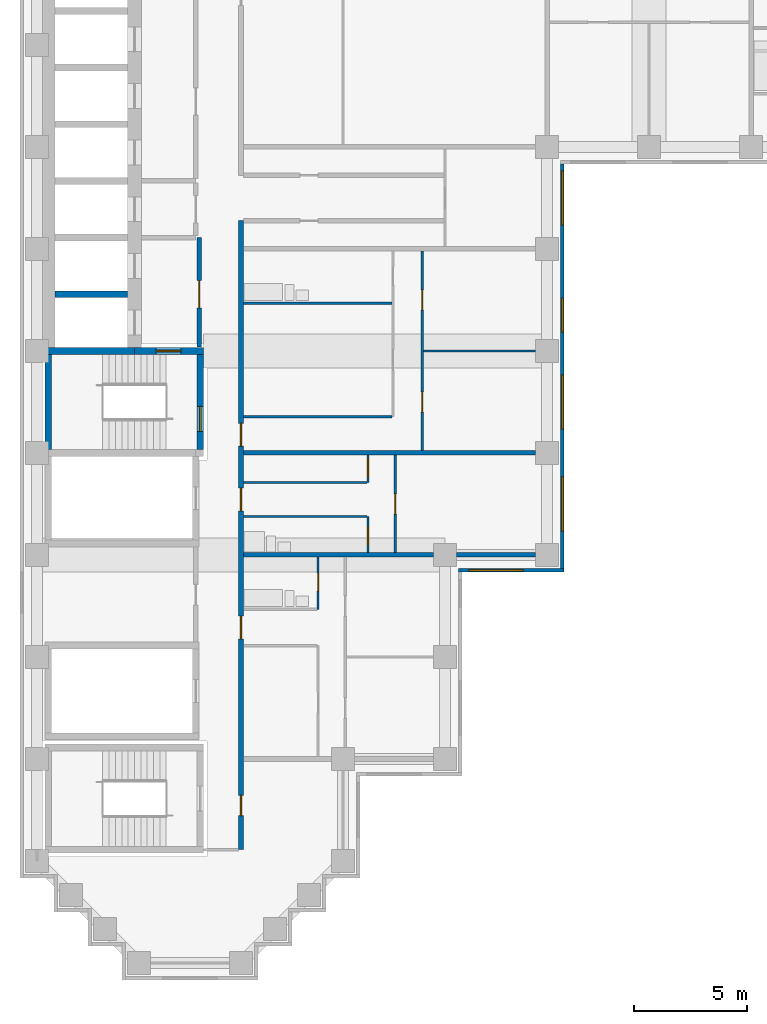
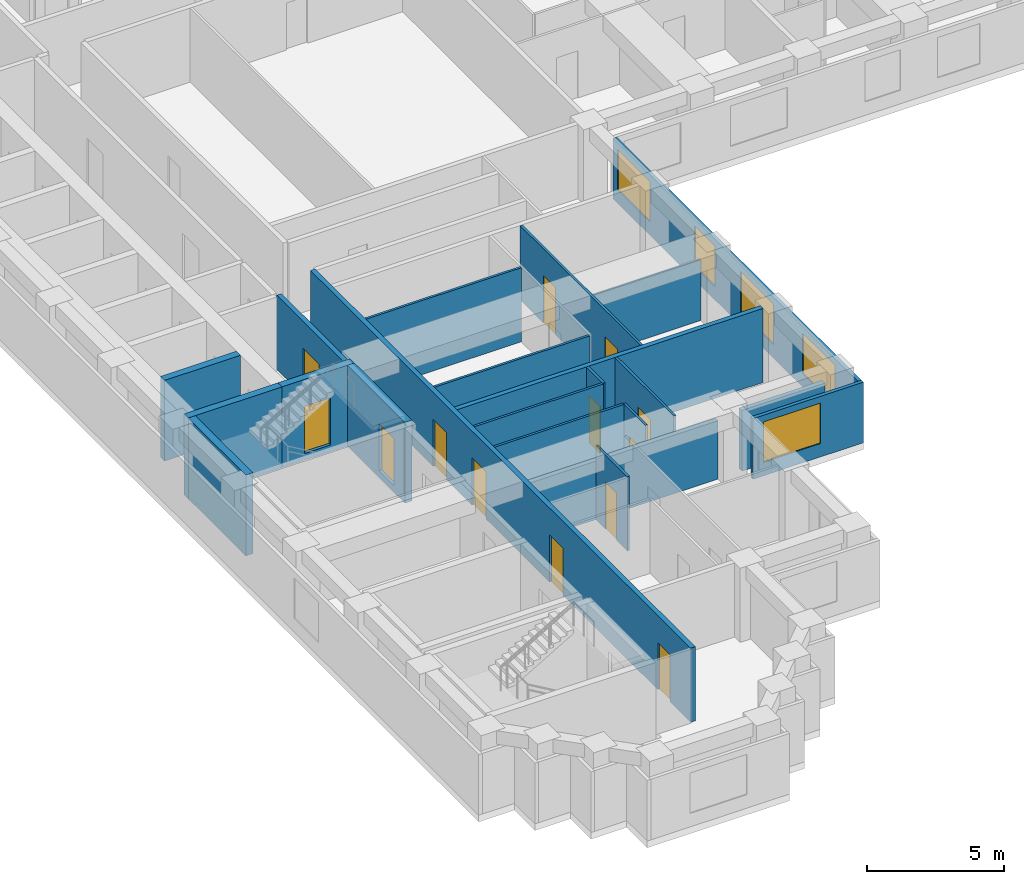
# One storey, part 3 of 12: 22 walls, 13 doors, 5 windows, 18 openings.
"""IFC4 building model written with IfcOpenShell, lengths in metres."""

from ifc_helpers import new_model, si_unit, direction, frame, frame_2d, origin, place, context, subcontext, project, spatial, rectangle, extrude, material, layer, layer_set, type_object, element, fill, save


model = new_model("IFC4")

# Units and contexts
model_context = context("Model", 3, precision=1e-05, world=origin(), true_north=direction((0.0, 1.0)))
body_context = subcontext(model_context, "Body", "Model", "MODEL_VIEW")
ifc_project = project(units=[si_unit("LENGTHUNIT", "METRE"), si_unit("AREAUNIT", "SQUARE_METRE"), si_unit("VOLUMEUNIT", "CUBIC_METRE"), si_unit("PLANEANGLEUNIT", "RADIAN"), si_unit("MASSUNIT", "GRAM", prefix="KILO")], contexts=[model_context])

# Site, building, storey
site_placement = place(None, origin())
site = spatial("IfcSite", under=ifc_project, at=site_placement, CompositionType="ELEMENT")
building_placement = place(site_placement, origin())
building = spatial("IfcBuilding", under=site, at=building_placement, Name="Firuza Court", CompositionType="ELEMENT")
storey_placement = place(building_placement, frame((0.0, 0.0, 123.199951171875)))
storey = spatial("IfcBuildingStorey", under=building, at=storey_placement, Name="L30", CompositionType="ELEMENT", Elevation=123.199951171875)

# Walls
ifc_material_1 = material(Name="Moisture-resistant gypsum board partition")
ifc_layer_1 = layer(ifc_material_1, 0.10009765625)
ifc_layer_set_1 = layer_set([ifc_layer_1], Name="Moisture-resistant gypsum board partition")
wall_type_1 = type_object("IfcWallType", Name="Bathroom partition 100", PredefinedType="PLUMBINGWALL", material=ifc_layer_set_1)
wall_1_placement = place(storey_placement, frame((9.10009765625, 19.699951171875, 0.0), z_axis=(0.0, 0.0, 1.0), x_axis=(1.0, 0.0, 0.0)))
element("IfcWall", 1, at=wall_1_placement, inside=storey, type_object=wall_type_1, Name="Bathroom partition 100 L30", PredefinedType="PLUMBINGWALL", context=body_context, shape_type="SweptSolid", body=[
    extrude(rectangle(XDim=5.449951171875, YDim=0.10009765625, at=frame_2d((2.72509765625, 0.0))), origin(), (0.0, 0.0, 1.0), 3.300048828125),
])
wall_2_placement = place(storey_placement, frame((9.10009765625, 29.10009765625, 0.0), z_axis=(0.0, 0.0, 1.0), x_axis=(1.0, 0.0, 0.0)))
element("IfcWall", 2, at=wall_2_placement, inside=storey, type_object=wall_type_1, Name="Bathroom partition 100 L30", PredefinedType="PLUMBINGWALL", context=body_context, shape_type="SweptSolid", body=[
    extrude(rectangle(XDim=6.5498046875, YDim=0.10009765625, at=frame_2d((3.27490234375, 0.0))), origin(), (0.0, 0.0, 1.0), 3.300048828125),
])
ifc_material_2 = material(Name="Concrete C60/75", Category="concrete")
ifc_layer_2 = layer(ifc_material_2, 0.300048828125)
ifc_layer_set_2 = layer_set([ifc_layer_2], Name="Concrete C60/75")
wall_type_2 = type_object("IfcWallType", Name="Core wall 300 C60/75", PredefinedType="SHEAR", material=ifc_layer_set_2)
wall_3_placement = place(storey_placement, frame((0.35009765625, 27.0, -0.300048828125), z_axis=(0.0, 0.0, 1.0), x_axis=(1.0, 0.0, 0.0)))
element("IfcWall", 3, at=wall_3_placement, inside=storey, type_object=wall_type_2, Name="Core wall lift shaft L30", PredefinedType="SHEAR", context=body_context, shape_type="SweptSolid", body=[
    extrude(rectangle(XDim=3.949951171875, YDim=0.300048828125, at=frame_2d((1.97509765625, 0.0))), origin(), (0.0, 0.0, 1.0), 3.60009765625),
])
wall_4_placement = place(storey_placement, frame((0.5, 22.64990234375, -0.300048828125), z_axis=(0.0, 0.0, 1.0), x_axis=(0.0, 1.0, 0.0)))
element("IfcWall", 4, at=wall_4_placement, inside=storey, type_object=wall_type_2, Name="Core wall stair L30", PredefinedType="SHEAR", context=body_context, shape_type="SweptSolid", body=[
    extrude(rectangle(XDim=4.2001953125, YDim=0.300048828125, at=frame_2d((2.10009765625, 0.0))), origin(), (0.0, 0.0, 1.0), 3.60009765625),
])
wall_5_placement = place(storey_placement, frame((0.800048828125, 29.5, -0.300048828125), z_axis=(0.0, 0.0, 1.0), x_axis=(1.0, 0.0, 0.0)))
element("IfcWall", 5, at=wall_5_placement, inside=storey, type_object=wall_type_2, Name="Core wall lift shaft L30", PredefinedType="SHEAR", context=body_context, shape_type="SweptSolid", body=[
    extrude(rectangle(XDim=3.199951171875, YDim=0.300048828125, at=frame_2d((1.60009765625, 0.0))), origin(), (0.0, 0.0, 1.0), 3.60009765625),
])

# Wall, opening, door
wall_6_placement = place(storey_placement, frame((4.300048828125, 27.0, -0.300048828125), z_axis=(0.0, 0.0, 1.0), x_axis=(1.0, 0.0, 0.0)))
wall_6 = element("IfcWall", 6, at=wall_6_placement, inside=storey, type_object=wall_type_2, Name="Core wall stair L30", PredefinedType="SHEAR", context=body_context, shape_type="SweptSolid", body=[
    extrude(rectangle(XDim=3.050048828125, YDim=0.300048828125, at=frame_2d((1.52490234375, 0.0))), origin(), (0.0, 0.0, 1.0), 3.60009765625),
])
opening_1_placement = place(wall_6_placement, frame((0.949951171875, 0.0, 0.300048828125)))
opening_1 = element("IfcOpeningElement", 7, at=opening_1_placement, cuts=wall_6, Name="Opening D30013", PredefinedType="OPENING", context=body_context, shape_type="SweptSolid", body=[
    extrude(rectangle(XDim=1.10009765625, YDim=2.10009765625, at=frame_2d((0.550048828125, 1.050048828125))), frame((0.0, 0.162109375, 0.0), z_axis=(0.0, -1.0, 0.0), x_axis=(1.0, 0.0, 0.0)), (0.0, 0.0, 1.0), 0.323974609375),
])
ifc_material_3 = material(Name="Timber door leaf in hardwood frame", Category="wood")
door_type_1 = type_object("IfcDoorType", Name="Stair door 1100", OperationType="SINGLE_SWING_LEFT", PredefinedType="DOOR", material=ifc_material_3)
door_1_placement = place(opening_1_placement, frame((1.10009765625, 0.0, 0.0), z_axis=(0.0, 0.0, 1.0), x_axis=(-1.0, 0.0, 0.0)))
door_1 = element("IfcDoor", 8, at=door_1_placement, inside=storey, type_object=door_type_1, Name="Fire-fighting lobby door", OperationType="SINGLE_SWING_LEFT", OverallHeight=2.10009765625, OverallWidth=1.10009765625, PredefinedType="DOOR", context=body_context, shape_type="SweptSolid", body=[
    extrude(rectangle(XDim=1.10009765625, YDim=2.10009765625, at=frame_2d((0.550048828125, 1.050048828125))), frame((0.0, 0.02490234375, 0.0), z_axis=(0.0, -1.0, 0.0), x_axis=(1.0, 0.0, 0.0)), (0.0, 0.0, 1.0), 0.050048828125),
])
fill(opening_1, door_1)

wall_7_placement = place(storey_placement, frame((7.199951171875, 22.64990234375, -0.300048828125), z_axis=(0.0, 0.0, 1.0), x_axis=(0.0, 1.0, 0.0)))
wall_7 = element("IfcWall", 9, at=wall_7_placement, inside=storey, type_object=wall_type_2, Name="Core wall stair L30", PredefinedType="SHEAR", context=body_context, shape_type="SweptSolid", body=[
    extrude(rectangle(XDim=4.2001953125, YDim=0.300048828125, at=frame_2d((2.10009765625, 0.0))), origin(), (0.0, 0.0, 1.0), 3.60009765625),
])
opening_2_placement = place(wall_7_placement, frame((0.800048828125, 0.0, 0.300048828125)))
opening_2 = element("IfcOpeningElement", 10, at=opening_2_placement, cuts=wall_7, Name="Opening D30014", PredefinedType="OPENING", context=body_context, shape_type="SweptSolid", body=[
    extrude(rectangle(XDim=1.10009765625, YDim=2.10009765625, at=frame_2d((0.550048828125, 1.050048828125))), frame((0.0, 0.162109375, 0.0), z_axis=(0.0, -1.0, 0.0), x_axis=(1.0, 0.0, 0.0)), (0.0, 0.0, 1.0), 0.323974609375),
])
door_2_placement = place(opening_2_placement, origin())
door_2 = element("IfcDoor", 11, at=door_2_placement, inside=storey, type_object=door_type_1, Name="Stair door S2", OperationType="SINGLE_SWING_LEFT", OverallHeight=2.10009765625, OverallWidth=1.10009765625, PredefinedType="DOOR", context=body_context, shape_type="SweptSolid", body=[
    extrude(rectangle(XDim=1.10009765625, YDim=2.10009765625, at=frame_2d((0.550048828125, 1.050048828125))), frame((0.0, 0.02490234375, 0.0), z_axis=(0.0, -1.0, 0.0), x_axis=(1.0, 0.0, 0.0)), (0.0, 0.0, 1.0), 0.050048828125),
])
fill(opening_2, door_2)

# Wall, openings, doors
ifc_material_4 = material(Name="Blockwork, plastered both sides", Category="masonry")
ifc_layer_3 = layer(ifc_material_4, 0.199951171875)
ifc_layer_set_3 = layer_set([ifc_layer_3], Name="Blockwork, plastered both sides")
wall_type_3 = type_object("IfcWallType", Name="Corridor wall 200", PredefinedType="PARTITIONING", material=ifc_layer_set_3)
wall_8_placement = place(storey_placement, frame((9.0, 5.0, 0.0), z_axis=(0.0, 0.0, 1.0), x_axis=(0.0, 1.0, 0.0)))
wall_8 = element("IfcWall", 12, at=wall_8_placement, inside=storey, type_object=wall_type_3, Name="Corridor wall 200 L30", PredefinedType="PARTITIONING", context=body_context, shape_type="SweptSolid", body=[
    extrude(rectangle(XDim=27.75, YDim=0.199951171875, at=frame_2d((13.875, 0.0))), origin(), (0.0, 0.0, 1.0), 3.300048828125),
])
opening_3_placement = place(wall_8_placement, frame((17.800048828125, 0.0, 0.0)))
opening_3 = element("IfcOpeningElement", 13, at=opening_3_placement, cuts=wall_8, Name="Opening D30018", PredefinedType="OPENING", context=body_context, shape_type="SweptSolid", body=[
    extrude(rectangle(XDim=1.0, YDim=2.10009765625, at=frame_2d((0.5, 1.050048828125))), frame((0.0, 0.11181640625, 0.0), z_axis=(0.0, -1.0, 0.0), x_axis=(1.0, 0.0, 0.0)), (0.0, 0.0, 1.0), 0.223876953125),
])
opening_4_placement = place(wall_8_placement, frame((14.949951171875, 0.0, 0.0)))
opening_4 = element("IfcOpeningElement", 14, at=opening_4_placement, cuts=wall_8, Name="Opening D30019", PredefinedType="OPENING", context=body_context, shape_type="SweptSolid", body=[
    extrude(rectangle(XDim=1.0, YDim=2.10009765625, at=frame_2d((0.5, 1.050048828125))), frame((0.0, 0.11181640625, 0.0), z_axis=(0.0, -1.0, 0.0), x_axis=(1.0, 0.0, 0.0)), (0.0, 0.0, 1.0), 0.223876953125),
])
opening_5_placement = place(wall_8_placement, frame((9.300048828125, 0.0, 0.0)))
opening_5 = element("IfcOpeningElement", 15, at=opening_5_placement, cuts=wall_8, Name="Opening D30020", PredefinedType="OPENING", context=body_context, shape_type="SweptSolid", body=[
    extrude(rectangle(XDim=1.0, YDim=2.10009765625, at=frame_2d((0.5, 1.050048828125))), frame((0.0, 0.11181640625, 0.0), z_axis=(0.0, -1.0, 0.0), x_axis=(1.0, 0.0, 0.0)), (0.0, 0.0, 1.0), 0.223876953125),
])
opening_6_placement = place(wall_8_placement, frame((1.5, 0.0, 0.0)))
opening_6 = element("IfcOpeningElement", 16, at=opening_6_placement, cuts=wall_8, Name="Opening D30021", PredefinedType="OPENING", context=body_context, shape_type="SweptSolid", body=[
    extrude(rectangle(XDim=0.89990234375, YDim=2.10009765625, at=frame_2d((0.449951171875, 1.050048828125))), frame((0.0, 0.11181640625, 0.0), z_axis=(0.0, -1.0, 0.0), x_axis=(1.0, 0.0, 0.0)), (0.0, 0.0, 1.0), 0.223876953125),
])
ifc_material_5 = material(Name="Timber door leaf in hardwood frame", Category="wood")
door_type_2 = type_object("IfcDoorType", Name="Flat entrance door 1000", OperationType="SINGLE_SWING_LEFT", PredefinedType="DOOR", material=ifc_material_5)
door_3_placement = place(opening_3_placement, origin())
door_3 = element("IfcDoor", 17, at=door_3_placement, inside=storey, type_object=door_type_2, Name="Flat entrance door", OperationType="SINGLE_SWING_LEFT", OverallHeight=2.10009765625, OverallWidth=1.0, PredefinedType="DOOR", context=body_context, shape_type="SweptSolid", body=[
    extrude(rectangle(XDim=1.0, YDim=2.10009765625, at=frame_2d((0.5, 1.050048828125))), frame((0.0, 0.02490234375, 0.0), z_axis=(0.0, -1.0, 0.0), x_axis=(1.0, 0.0, 0.0)), (0.0, 0.0, 1.0), 0.050048828125),
])
fill(opening_3, door_3)
door_4_placement = place(opening_4_placement, origin())
door_4 = element("IfcDoor", 18, at=door_4_placement, inside=storey, type_object=door_type_2, Name="Flat entrance door", OperationType="SINGLE_SWING_LEFT", OverallHeight=2.10009765625, OverallWidth=1.0, PredefinedType="DOOR", context=body_context, shape_type="SweptSolid", body=[
    extrude(rectangle(XDim=1.0, YDim=2.10009765625, at=frame_2d((0.5, 1.050048828125))), frame((0.0, 0.02490234375, 0.0), z_axis=(0.0, -1.0, 0.0), x_axis=(1.0, 0.0, 0.0)), (0.0, 0.0, 1.0), 0.050048828125),
])
fill(opening_4, door_4)
door_5_placement = place(opening_5_placement, origin())
door_5 = element("IfcDoor", 19, at=door_5_placement, inside=storey, type_object=door_type_2, Name="Flat entrance door", OperationType="SINGLE_SWING_LEFT", OverallHeight=2.10009765625, OverallWidth=1.0, PredefinedType="DOOR", context=body_context, shape_type="SweptSolid", body=[
    extrude(rectangle(XDim=1.0, YDim=2.10009765625, at=frame_2d((0.5, 1.050048828125))), frame((0.0, 0.02490234375, 0.0), z_axis=(0.0, -1.0, 0.0), x_axis=(1.0, 0.0, 0.0)), (0.0, 0.0, 1.0), 0.050048828125),
])
fill(opening_5, door_5)
ifc_material_6 = material(Name="Timber door leaf in hardwood frame", Category="wood")
door_type_3 = type_object("IfcDoorType", Name="Room door 900 EI 30", OperationType="SINGLE_SWING_LEFT", PredefinedType="DOOR", material=ifc_material_6)
door_6_placement = place(opening_6_placement, origin())
door_6 = element("IfcDoor", 20, at=door_6_placement, inside=storey, type_object=door_type_3, Name="Sky lounge door", OperationType="SINGLE_SWING_LEFT", OverallHeight=2.10009765625, OverallWidth=0.89990234375, PredefinedType="DOOR", context=body_context, shape_type="SweptSolid", body=[
    extrude(rectangle(XDim=0.89990234375, YDim=2.10009765625, at=frame_2d((0.449951171875, 1.050048828125))), frame((0.0, 0.02490234375, 0.0), z_axis=(0.0, -1.0, 0.0), x_axis=(1.0, 0.0, 0.0)), (0.0, 0.0, 1.0), 0.050048828125),
])
fill(opening_6, door_6)

# Wall, opening, door
ifc_material_7 = material(Name="Timber stud partition, plasterboard both sides", Category="wood")
ifc_layer_4 = layer(ifc_material_7, 0.10009765625)
ifc_layer_set_4 = layer_set([ifc_layer_4], Name="Timber stud partition, plasterboard both sides")
wall_type_4 = type_object("IfcWallType", Name="Partition wall 100", PredefinedType="PARTITIONING", material=ifc_layer_set_4)
wall_9_placement = place(storey_placement, frame((12.39990234375, 15.60009765625, 0.0), z_axis=(0.0, 0.0, 1.0), x_axis=(0.0, 1.0, 0.0)))
wall_9 = element("IfcWall", 21, at=wall_9_placement, inside=storey, type_object=wall_type_4, Name="Partition wall 100 L30", PredefinedType="PARTITIONING", context=body_context, shape_type="SweptSolid", body=[
    extrude(rectangle(XDim=2.2998046875, YDim=0.10009765625, at=frame_2d((1.14990234375, 0.0))), origin(), (0.0, 0.0, 1.0), 3.300048828125),
])
opening_7_placement = place(wall_9_placement, frame((0.800048828125, 0.0, 0.0)))
opening_7 = element("IfcOpeningElement", 22, at=opening_7_placement, cuts=wall_9, Name="Opening D30026", PredefinedType="OPENING", context=body_context, shape_type="SweptSolid", body=[
    extrude(rectangle(XDim=0.800048828125, YDim=2.10009765625, at=frame_2d((0.39990234375, 1.050048828125))), frame((0.0, 0.06201171875, 0.0), z_axis=(0.0, -1.0, 0.0), x_axis=(1.0, 0.0, 0.0)), (0.0, 0.0, 1.0), 0.1240234375),
])
ifc_material_8 = material(Name="Timber door leaf in hardwood frame", Category="wood")
door_type_4 = type_object("IfcDoorType", Name="Bathroom door 800", OperationType="SINGLE_SWING_LEFT", PredefinedType="DOOR", material=ifc_material_8)
door_7_placement = place(opening_7_placement, origin())
door_7 = element("IfcDoor", 23, at=door_7_placement, inside=storey, type_object=door_type_4, Name="Bathroom door", OperationType="SINGLE_SWING_LEFT", OverallHeight=2.10009765625, OverallWidth=0.800048828125, PredefinedType="DOOR", context=body_context, shape_type="SweptSolid", body=[
    extrude(rectangle(XDim=0.800048828125, YDim=2.10009765625, at=frame_2d((0.39990234375, 1.050048828125))), frame((0.0, 0.02490234375, 0.0), z_axis=(0.0, -1.0, 0.0), x_axis=(1.0, 0.0, 0.0)), (0.0, 0.0, 1.0), 0.050048828125),
])
fill(opening_7, door_7)

wall_10_placement = place(storey_placement, frame((14.60009765625, 18.10009765625, 0.0), z_axis=(0.0, 0.0, 1.0), x_axis=(0.0, 1.0, 0.0)))
wall_10 = element("IfcWall", 24, at=wall_10_placement, inside=storey, type_object=wall_type_4, Name="Partition wall 100 L30", PredefinedType="PARTITIONING", context=body_context, shape_type="SweptSolid", body=[
    extrude(rectangle(XDim=1.599853515625, YDim=0.10009765625, at=frame_2d((0.7998046875, 0.0))), origin(), (0.0, 0.0, 1.0), 3.300048828125),
])
opening_8_placement = place(wall_10_placement, frame((0.35009765625, 0.0, 0.0)))
opening_8 = element("IfcOpeningElement", 25, at=opening_8_placement, cuts=wall_10, Name="Opening D30027", PredefinedType="OPENING", context=body_context, shape_type="SweptSolid", body=[
    extrude(rectangle(XDim=0.800048828125, YDim=2.10009765625, at=frame_2d((0.39990234375, 1.050048828125))), frame((0.0, 0.06201171875, 0.0), z_axis=(0.0, -1.0, 0.0), x_axis=(1.0, 0.0, 0.0)), (0.0, 0.0, 1.0), 0.1240234375),
])
door_8_placement = place(opening_8_placement, origin())
door_8 = element("IfcDoor", 26, at=door_8_placement, inside=storey, type_object=door_type_4, Name="Bathroom door", OperationType="SINGLE_SWING_LEFT", OverallHeight=2.10009765625, OverallWidth=0.800048828125, PredefinedType="DOOR", context=body_context, shape_type="SweptSolid", body=[
    extrude(rectangle(XDim=0.800048828125, YDim=2.10009765625, at=frame_2d((0.39990234375, 1.050048828125))), frame((0.0, 0.02490234375, 0.0), z_axis=(0.0, -1.0, 0.0), x_axis=(1.0, 0.0, 0.0)), (0.0, 0.0, 1.0), 0.050048828125),
])
fill(opening_8, door_8)

wall_11_placement = place(storey_placement, frame((15.800048828125, 18.10009765625, 0.0), z_axis=(0.0, 0.0, 1.0), x_axis=(0.0, 1.0, 0.0)))
wall_11 = element("IfcWall", 27, at=wall_11_placement, inside=storey, type_object=wall_type_4, Name="Partition wall 100 L30", PredefinedType="PARTITIONING", context=body_context, shape_type="SweptSolid", body=[
    extrude(rectangle(XDim=4.2998046875, YDim=0.10009765625, at=frame_2d((2.14990234375, 0.0))), origin(), (0.0, 0.0, 1.0), 3.300048828125),
])
opening_9_placement = place(wall_11_placement, frame((1.699951171875, 0.0, 0.0)))
opening_9 = element("IfcOpeningElement", 28, at=opening_9_placement, cuts=wall_11, Name="Opening D30028", PredefinedType="OPENING", context=body_context, shape_type="SweptSolid", body=[
    extrude(rectangle(XDim=0.89990234375, YDim=2.10009765625, at=frame_2d((0.449951171875, 1.050048828125))), frame((0.0, 0.06201171875, 0.0), z_axis=(0.0, -1.0, 0.0), x_axis=(1.0, 0.0, 0.0)), (0.0, 0.0, 1.0), 0.1240234375),
])
ifc_material_9 = material(Name="Timber door leaf in hardwood frame", Category="wood")
door_type_5 = type_object("IfcDoorType", Name="Room door 900", OperationType="SINGLE_SWING_LEFT", PredefinedType="DOOR", material=ifc_material_9)
door_9_placement = place(opening_9_placement, frame((0.89990234375, 0.0, 0.0), z_axis=(0.0, 0.0, 1.0), x_axis=(-1.0, 0.0, 0.0)))
door_9 = element("IfcDoor", 29, at=door_9_placement, inside=storey, type_object=door_type_5, Name="Studio room door", OperationType="SINGLE_SWING_RIGHT", OverallHeight=2.10009765625, OverallWidth=0.89990234375, PredefinedType="DOOR", context=body_context, shape_type="SweptSolid", body=[
    extrude(rectangle(XDim=0.89990234375, YDim=2.10009765625, at=frame_2d((0.449951171875, 1.050048828125))), frame((0.0, 0.02490234375, 0.0), z_axis=(0.0, -1.0, 0.0), x_axis=(1.0, 0.0, 0.0)), (0.0, 0.0, 1.0), 0.050048828125),
])
fill(opening_9, door_9)

# Wall
wall_12_placement = place(storey_placement, frame((9.10009765625, 21.199951171875, 0.0), z_axis=(0.0, 0.0, 1.0), x_axis=(1.0, 0.0, 0.0)))
element("IfcWall", 30, at=wall_12_placement, inside=storey, type_object=wall_type_4, Name="Partition wall 100 L30", PredefinedType="PARTITIONING", context=body_context, shape_type="SweptSolid", body=[
    extrude(rectangle(XDim=5.449951171875, YDim=0.10009765625, at=frame_2d((2.72509765625, 0.0))), origin(), (0.0, 0.0, 1.0), 3.300048828125),
])

# Wall, opening, door
wall_13_placement = place(storey_placement, frame((14.60009765625, 21.199951171875, 0.0), z_axis=(0.0, 0.0, 1.0), x_axis=(0.0, 1.0, 0.0)))
wall_13 = element("IfcWall", 31, at=wall_13_placement, inside=storey, type_object=wall_type_4, Name="Partition wall 100 L30", PredefinedType="PARTITIONING", context=body_context, shape_type="SweptSolid", body=[
    extrude(rectangle(XDim=1.199951171875, YDim=0.10009765625, at=frame_2d((0.60009765625, 0.0))), origin(), (0.0, 0.0, 1.0), 3.300048828125),
])
opening_10_placement = place(wall_13_placement, frame((0.25, 0.0, 0.0)))
opening_10 = element("IfcOpeningElement", 32, at=opening_10_placement, cuts=wall_13, Name="Opening D30029", PredefinedType="OPENING", context=body_context, shape_type="SweptSolid", body=[
    extrude(rectangle(XDim=0.800048828125, YDim=2.10009765625, at=frame_2d((0.39990234375, 1.050048828125))), frame((0.0, 0.06201171875, 0.0), z_axis=(0.0, -1.0, 0.0), x_axis=(1.0, 0.0, 0.0)), (0.0, 0.0, 1.0), 0.1240234375),
])
ifc_material_10 = material(Name="Timber door leaf in hardwood frame", Category="wood")
door_type_6 = type_object("IfcDoorType", Name="Room door 800", OperationType="SINGLE_SWING_LEFT", PredefinedType="DOOR", material=ifc_material_10)
door_10_placement = place(opening_10_placement, origin())
door_10 = element("IfcDoor", 33, at=door_10_placement, inside=storey, type_object=door_type_6, Name="Kitchen door", OperationType="SINGLE_SWING_LEFT", OverallHeight=2.10009765625, OverallWidth=0.800048828125, PredefinedType="DOOR", context=body_context, shape_type="SweptSolid", body=[
    extrude(rectangle(XDim=0.800048828125, YDim=2.10009765625, at=frame_2d((0.39990234375, 1.050048828125))), frame((0.0, 0.02490234375, 0.0), z_axis=(0.0, -1.0, 0.0), x_axis=(1.0, 0.0, 0.0)), (0.0, 0.0, 1.0), 0.050048828125),
])
fill(opening_10, door_10)

# Wall, openings, doors
wall_14_placement = place(storey_placement, frame((17.0, 22.60009765625, 0.0), z_axis=(0.0, 0.0, 1.0), x_axis=(0.0, 1.0, 0.0)))
wall_14 = element("IfcWall", 34, at=wall_14_placement, inside=storey, type_object=wall_type_4, Name="Partition wall 100 L30", PredefinedType="PARTITIONING", context=body_context, shape_type="SweptSolid", body=[
    extrude(rectangle(XDim=8.7998046875, YDim=0.10009765625, at=frame_2d((4.39990234375, 0.0))), origin(), (0.0, 0.0, 1.0), 3.300048828125),
])
opening_11_placement = place(wall_14_placement, frame((1.699951171875, 0.0, 0.0)))
opening_11 = element("IfcOpeningElement", 35, at=opening_11_placement, cuts=wall_14, Name="Opening D30030", PredefinedType="OPENING", context=body_context, shape_type="SweptSolid", body=[
    extrude(rectangle(XDim=0.89990234375, YDim=2.10009765625, at=frame_2d((0.449951171875, 1.050048828125))), frame((0.0, 0.06201171875, 0.0), z_axis=(0.0, -1.0, 0.0), x_axis=(1.0, 0.0, 0.0)), (0.0, 0.0, 1.0), 0.1240234375),
])
opening_12_placement = place(wall_14_placement, frame((6.199951171875, 0.0, 0.0)))
opening_12 = element("IfcOpeningElement", 36, at=opening_12_placement, cuts=wall_14, Name="Opening D30031", PredefinedType="OPENING", context=body_context, shape_type="SweptSolid", body=[
    extrude(rectangle(XDim=0.89990234375, YDim=2.10009765625, at=frame_2d((0.449951171875, 1.050048828125))), frame((0.0, 0.06201171875, 0.0), z_axis=(0.0, -1.0, 0.0), x_axis=(1.0, 0.0, 0.0)), (0.0, 0.0, 1.0), 0.1240234375),
])
door_11_placement = place(opening_11_placement, frame((0.89990234375, 0.0, 0.0), z_axis=(0.0, 0.0, 1.0), x_axis=(-1.0, 0.0, 0.0)))
door_11 = element("IfcDoor", 37, at=door_11_placement, inside=storey, type_object=door_type_5, Name="Bedroom door", OperationType="SINGLE_SWING_RIGHT", OverallHeight=2.10009765625, OverallWidth=0.89990234375, PredefinedType="DOOR", context=body_context, shape_type="SweptSolid", body=[
    extrude(rectangle(XDim=0.89990234375, YDim=2.10009765625, at=frame_2d((0.449951171875, 1.050048828125))), frame((0.0, 0.02490234375, 0.0), z_axis=(0.0, -1.0, 0.0), x_axis=(1.0, 0.0, 0.0)), (0.0, 0.0, 1.0), 0.050048828125),
])
fill(opening_11, door_11)
door_12_placement = place(opening_12_placement, frame((0.89990234375, 0.0, 0.0), z_axis=(0.0, 0.0, 1.0), x_axis=(-1.0, 0.0, 0.0)))
door_12 = element("IfcDoor", 38, at=door_12_placement, inside=storey, type_object=door_type_5, Name="Living room door", OperationType="SINGLE_SWING_RIGHT", OverallHeight=2.10009765625, OverallWidth=0.89990234375, PredefinedType="DOOR", context=body_context, shape_type="SweptSolid", body=[
    extrude(rectangle(XDim=0.89990234375, YDim=2.10009765625, at=frame_2d((0.449951171875, 1.050048828125))), frame((0.0, 0.02490234375, 0.0), z_axis=(0.0, -1.0, 0.0), x_axis=(1.0, 0.0, 0.0)), (0.0, 0.0, 1.0), 0.050048828125),
])
fill(opening_12, door_12)

# Walls
wall_15_placement = place(storey_placement, frame((9.10009765625, 24.10009765625, 0.0), z_axis=(0.0, 0.0, 1.0), x_axis=(1.0, 0.0, 0.0)))
element("IfcWall", 39, at=wall_15_placement, inside=storey, type_object=wall_type_4, Name="Partition wall 100 L30", PredefinedType="PARTITIONING", context=body_context, shape_type="SweptSolid", body=[
    extrude(rectangle(XDim=6.5498046875, YDim=0.10009765625, at=frame_2d((3.27490234375, 0.0))), origin(), (0.0, 0.0, 1.0), 3.300048828125),
])
wall_16_placement = place(storey_placement, frame((17.050048828125, 27.0, 0.0), z_axis=(0.0, 0.0, 1.0), x_axis=(1.0, 0.0, 0.0)))
element("IfcWall", 40, at=wall_16_placement, inside=storey, type_object=wall_type_4, Name="Partition wall 100 L30", PredefinedType="PARTITIONING", context=body_context, shape_type="SweptSolid", body=[
    extrude(rectangle(XDim=4.949951171875, YDim=0.10009765625, at=frame_2d((2.47509765625, 0.0))), origin(), (0.0, 0.0, 1.0), 2.699951171875),
])
ifc_layer_5 = layer(ifc_material_4, 0.199951171875)
ifc_layer_set_5 = layer_set([ifc_layer_5], Name="Blockwork, plastered both sides")
wall_type_5 = type_object("IfcWallType", Name="Party wall 200", PredefinedType="PARTITIONING", material=ifc_layer_set_5)
wall_17_placement = place(storey_placement, frame((9.10009765625, 18.0, 0.0), z_axis=(0.0, 0.0, 1.0), x_axis=(1.0, 0.0, 0.0)))
element("IfcWall", 41, at=wall_17_placement, inside=storey, type_object=wall_type_5, Name="Party wall 200 L30", PredefinedType="PARTITIONING", context=body_context, shape_type="SweptSolid", body=[
    extrude(rectangle(XDim=8.39990234375, YDim=0.199951171875, at=frame_2d((4.199951171875, 0.0))), origin(), (0.0, 0.0, 1.0), 2.60009765625),
])
wall_18_placement = place(storey_placement, frame((18.5, 18.0, 0.0), z_axis=(0.0, 0.0, 1.0), x_axis=(1.0, 0.0, 0.0)))
element("IfcWall", 42, at=wall_18_placement, inside=storey, type_object=wall_type_5, Name="Party wall 200 L30", PredefinedType="PARTITIONING", context=body_context, shape_type="SweptSolid", body=[
    extrude(rectangle(XDim=3.5, YDim=0.199951171875, at=frame_2d((1.75, 0.0))), origin(), (0.0, 0.0, 1.0), 2.699951171875),
])
wall_19_placement = place(storey_placement, frame((9.10009765625, 22.5, 0.0), z_axis=(0.0, 0.0, 1.0), x_axis=(1.0, 0.0, 0.0)))
element("IfcWall", 43, at=wall_19_placement, inside=storey, type_object=wall_type_5, Name="Party wall 200 L30", PredefinedType="PARTITIONING", context=body_context, shape_type="SweptSolid", body=[
    extrude(rectangle(XDim=12.89990234375, YDim=0.199951171875, at=frame_2d((6.449951171875, 0.0))), origin(), (0.0, 0.0, 1.0), 3.300048828125),
])

# Wall, opening, window
ifc_material_11 = material(Name="Ceramic tile", Category="ceramic")
ifc_layer_6 = layer(ifc_material_11, 0.02001953125)
ifc_material_12 = material(Name="Mineral wool insulation", Category="insulation")
ifc_layer_7 = layer(ifc_material_12, 0.050048828125)
ifc_material_13 = material(Name="Concrete C40/50 precast", Category="concrete")
ifc_layer_8 = layer(ifc_material_13, 0.080078125)
ifc_layer_set_6 = layer_set([ifc_layer_6, ifc_layer_7, ifc_layer_8], Name="Concrete C40/50 precast")
wall_type_6 = type_object("IfcWallType", Name="Precast cladding wall with turquoise TILE PANEL face 150", PredefinedType="STANDARD", material=ifc_layer_set_6)
wall_20_placement = place(storey_placement, frame((18.60009765625, 17.324951171875, 0.0), z_axis=(0.0, 0.0, 1.0), x_axis=(1.0, 0.0, 0.0)))
wall_20 = element("IfcWall", 44, at=wall_20_placement, inside=storey, type_object=wall_type_6, Name="Facade wall L30 S", PredefinedType="STANDARD", context=body_context, shape_type="SweptSolid", body=[
    extrude(rectangle(XDim=4.64990234375, YDim=0.14990234375, at=frame_2d((2.324951171875, 0.0))), origin(), (0.0, 0.0, 1.0), 2.699951171875),
])
opening_13_placement = place(wall_20_placement, frame((0.449951171875, 0.0, 0.60009765625)))
opening_13 = element("IfcOpeningElement", 45, at=opening_13_placement, cuts=wall_20, Name="Opening W1", PredefinedType="OPENING", context=body_context, shape_type="SweptSolid", body=[
    extrude(rectangle(XDim=2.39990234375, YDim=1.800048828125, at=frame_2d((1.199951171875, 0.89990234375))), frame((0.0, 0.0869140625, 0.0), z_axis=(0.0, -1.0, 0.0), x_axis=(1.0, 0.0, 0.0)), (0.0, 0.0, 1.0), 0.173828125),
])
ifc_material_14 = material(Name="Aluminium frame, triple clear glazing", Category="aluminium")
window_type_1 = type_object("IfcWindowType", Name="Window W1 2400 x 1800", PartitioningType="SINGLE_PANEL", PredefinedType="WINDOW", material=ifc_material_14)
window_1_placement = place(opening_13_placement, origin())
window_1 = element("IfcWindow", 46, at=window_1_placement, inside=storey, type_object=window_type_1, Name="Window L30", OverallHeight=1.800048828125, OverallWidth=2.39990234375, PartitioningType="SINGLE_PANEL", PredefinedType="WINDOW", context=body_context, shape_type="SweptSolid", body=[
    extrude(rectangle(XDim=2.39990234375, YDim=1.800048828125, at=frame_2d((1.199951171875, 0.89990234375))), frame((0.0, 0.030029296875, 0.0), z_axis=(0.0, -1.0, 0.0), x_axis=(1.0, 0.0, 0.0)), (0.0, 0.0, 1.0), 0.06005859375),
])
fill(opening_13, window_1)

# Wall, openings, windows
wall_21_placement = place(storey_placement, frame((23.175048828125, 17.39990234375, 0.0), z_axis=(0.0, 0.0, 1.0), x_axis=(0.0, 1.0, 0.0)))
wall_21 = element("IfcWall", 47, at=wall_21_placement, inside=storey, type_object=wall_type_6, Name="Facade wall L30 E", PredefinedType="STANDARD", context=body_context, shape_type="SweptSolid", body=[
    extrude(rectangle(XDim=17.85009765625, YDim=0.14990234375, at=frame_2d((8.925048828125, 0.0))), origin(), (0.0, 0.0, 1.0), 2.699951171875),
])
opening_14_placement = place(wall_21_placement, frame((1.64990234375, 0.0, 0.60009765625)))
opening_14 = element("IfcOpeningElement", 48, at=opening_14_placement, cuts=wall_21, Name="Opening W1", PredefinedType="OPENING", context=body_context, shape_type="SweptSolid", body=[
    extrude(rectangle(XDim=2.39990234375, YDim=1.800048828125, at=frame_2d((1.199951171875, 0.89990234375))), frame((0.0, 0.0869140625, 0.0), z_axis=(0.0, -1.0, 0.0), x_axis=(1.0, 0.0, 0.0)), (0.0, 0.0, 1.0), 0.173828125),
])
opening_15_placement = place(wall_21_placement, frame((6.14990234375, 0.0, 0.60009765625)))
opening_15 = element("IfcOpeningElement", 49, at=opening_15_placement, cuts=wall_21, Name="Opening W1", PredefinedType="OPENING", context=body_context, shape_type="SweptSolid", body=[
    extrude(rectangle(XDim=2.39990234375, YDim=1.800048828125, at=frame_2d((1.199951171875, 0.89990234375))), frame((0.0, 0.0869140625, 0.0), z_axis=(0.0, -1.0, 0.0), x_axis=(1.0, 0.0, 0.0)), (0.0, 0.0, 1.0), 0.173828125),
])
opening_16_placement = place(wall_21_placement, frame((10.4326171875, 0.0, 0.60009765625)))
opening_16 = element("IfcOpeningElement", 50, at=opening_16_placement, cuts=wall_21, Name="Opening W2", PredefinedType="OPENING", context=body_context, shape_type="SweptSolid", body=[
    extrude(rectangle(XDim=1.5, YDim=1.800048828125, at=frame_2d((0.75, 0.89990234375))), frame((0.0, 0.0869140625, 0.0), z_axis=(0.0, -1.0, 0.0), x_axis=(1.0, 0.0, 0.0)), (0.0, 0.0, 1.0), 0.173828125),
])
opening_17_placement = place(wall_21_placement, frame((15.14990234375, 0.0, 0.60009765625)))
opening_17 = element("IfcOpeningElement", 51, at=opening_17_placement, cuts=wall_21, Name="Opening W1", PredefinedType="OPENING", context=body_context, shape_type="SweptSolid", body=[
    extrude(rectangle(XDim=2.39990234375, YDim=1.800048828125, at=frame_2d((1.199951171875, 0.89990234375))), frame((0.0, 0.0869140625, 0.0), z_axis=(0.0, -1.0, 0.0), x_axis=(1.0, 0.0, 0.0)), (0.0, 0.0, 1.0), 0.173828125),
])
window_2_placement = place(opening_14_placement, origin())
window_2 = element("IfcWindow", 52, at=window_2_placement, inside=storey, type_object=window_type_1, Name="Window L30", OverallHeight=1.800048828125, OverallWidth=2.39990234375, PartitioningType="SINGLE_PANEL", PredefinedType="WINDOW", context=body_context, shape_type="SweptSolid", body=[
    extrude(rectangle(XDim=2.39990234375, YDim=1.800048828125, at=frame_2d((1.199951171875, 0.89990234375))), frame((0.0, 0.030029296875, 0.0), z_axis=(0.0, -1.0, 0.0), x_axis=(1.0, 0.0, 0.0)), (0.0, 0.0, 1.0), 0.06005859375),
])
fill(opening_14, window_2)
window_3_placement = place(opening_15_placement, origin())
window_3 = element("IfcWindow", 53, at=window_3_placement, inside=storey, type_object=window_type_1, Name="Window L30", OverallHeight=1.800048828125, OverallWidth=2.39990234375, PartitioningType="SINGLE_PANEL", PredefinedType="WINDOW", context=body_context, shape_type="SweptSolid", body=[
    extrude(rectangle(XDim=2.39990234375, YDim=1.800048828125, at=frame_2d((1.199951171875, 0.89990234375))), frame((0.0, 0.030029296875, 0.0), z_axis=(0.0, -1.0, 0.0), x_axis=(1.0, 0.0, 0.0)), (0.0, 0.0, 1.0), 0.06005859375),
])
fill(opening_15, window_3)
window_4_placement = place(opening_17_placement, origin())
window_4 = element("IfcWindow", 54, at=window_4_placement, inside=storey, type_object=window_type_1, Name="Window L30", OverallHeight=1.800048828125, OverallWidth=2.39990234375, PartitioningType="SINGLE_PANEL", PredefinedType="WINDOW", context=body_context, shape_type="SweptSolid", body=[
    extrude(rectangle(XDim=2.39990234375, YDim=1.800048828125, at=frame_2d((1.199951171875, 0.89990234375))), frame((0.0, 0.030029296875, 0.0), z_axis=(0.0, -1.0, 0.0), x_axis=(1.0, 0.0, 0.0)), (0.0, 0.0, 1.0), 0.06005859375),
])
fill(opening_17, window_4)
ifc_material_15 = material(Name="Aluminium frame, triple clear glazing", Category="aluminium")
window_type_2 = type_object("IfcWindowType", Name="Window W2 1500 x 1800", PartitioningType="SINGLE_PANEL", PredefinedType="WINDOW", material=ifc_material_15)
window_5_placement = place(opening_16_placement, origin())
window_5 = element("IfcWindow", 55, at=window_5_placement, inside=storey, type_object=window_type_2, Name="Window L30", OverallHeight=1.800048828125, OverallWidth=1.5, PartitioningType="SINGLE_PANEL", PredefinedType="WINDOW", context=body_context, shape_type="SweptSolid", body=[
    extrude(rectangle(XDim=1.5, YDim=1.800048828125, at=frame_2d((0.75, 0.89990234375))), frame((0.0, 0.030029296875, 0.0), z_axis=(0.0, -1.0, 0.0), x_axis=(1.0, 0.0, 0.0)), (0.0, 0.0, 1.0), 0.06005859375),
])
fill(opening_16, window_5)

# Wall, opening, door
ifc_material_16 = material(Name="Blockwork, fire-rated", Category="masonry")
ifc_layer_9 = layer(ifc_material_16, 0.199951171875)
ifc_layer_set_7 = layer_set([ifc_layer_9], Name="Blockwork, fire-rated")
wall_type_7 = type_object("IfcWallType", Name="Shaft wall 200", PredefinedType="PARTITIONING", material=ifc_layer_set_7)
wall_22_placement = place(storey_placement, frame((7.14990234375, 27.169921875, 0.0), z_axis=(0.0, 0.0, 1.0), x_axis=(0.0, 1.0, 0.0)))
wall_22 = element("IfcWall", 56, at=wall_22_placement, inside=storey, type_object=wall_type_7, Name="Shaft wall 200 L30", PredefinedType="PARTITIONING", context=body_context, shape_type="SweptSolid", body=[
    extrude(rectangle(XDim=4.830078125, YDim=0.199951171875, at=frame_2d((2.4150390625, 0.0))), origin(), (0.0, 0.0, 1.0), 3.300048828125),
])
opening_18_placement = place(wall_22_placement, frame((1.72998046875, 0.0, 0.0)))
opening_18 = element("IfcOpeningElement", 57, at=opening_18_placement, cuts=wall_22, Name="Opening D30002", PredefinedType="OPENING", context=body_context, shape_type="SweptSolid", body=[
    extrude(rectangle(XDim=1.199951171875, YDim=2.10009765625, at=frame_2d((0.60009765625, 1.050048828125))), frame((0.0, 0.11181640625, 0.0), z_axis=(0.0, -1.0, 0.0), x_axis=(1.0, 0.0, 0.0)), (0.0, 0.0, 1.0), 0.223876953125),
])
ifc_material_17 = material(Name="Timber door leaf in hardwood frame", Category="wood")
door_type_7 = type_object("IfcDoorType", Name="Lobby door 1200", OperationType="SINGLE_SWING_LEFT", PredefinedType="DOOR", material=ifc_material_17)
door_13_placement = place(opening_18_placement, origin())
door_13 = element("IfcDoor", 58, at=door_13_placement, inside=storey, type_object=door_type_7, Name="Fire-fighting lobby door", OperationType="SINGLE_SWING_LEFT", OverallHeight=2.10009765625, OverallWidth=1.199951171875, PredefinedType="DOOR", context=body_context, shape_type="SweptSolid", body=[
    extrude(rectangle(XDim=1.199951171875, YDim=2.10009765625, at=frame_2d((0.60009765625, 1.050048828125))), frame((0.0, 0.02490234375, 0.0), z_axis=(0.0, -1.0, 0.0), x_axis=(1.0, 0.0, 0.0)), (0.0, 0.0, 1.0), 0.050048828125),
])
fill(opening_18, door_13)

save(model, "model.ifc")
